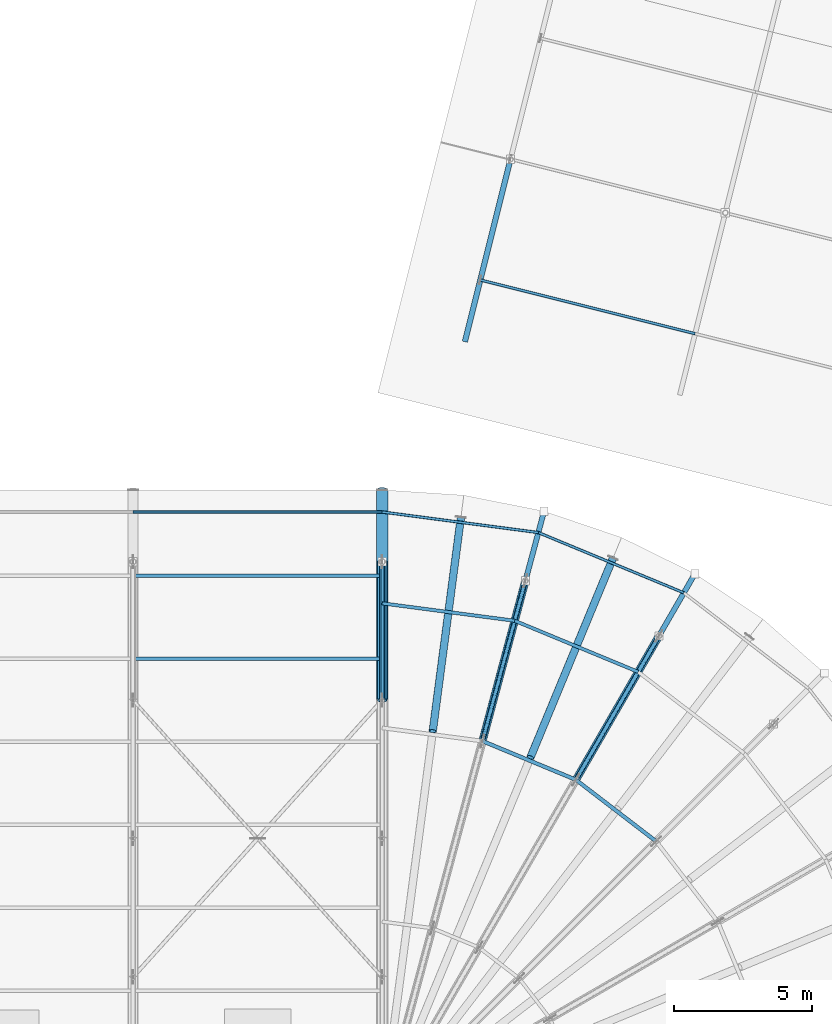
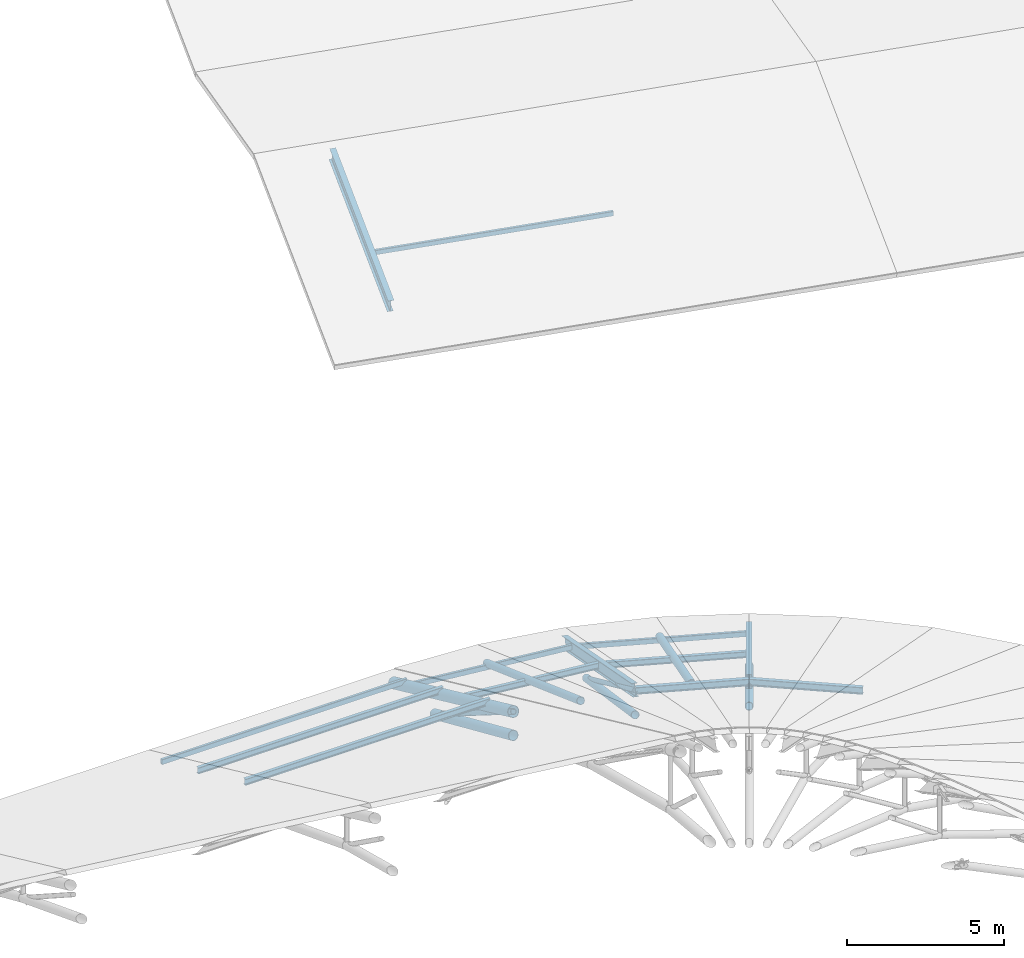
# One storey, part 50 of 107: 22 members.
"""IFC4 building model written with IfcOpenShell, lengths in metres."""

from ifc_helpers import new_model, si_unit, derived_unit, direction, frame, origin, origin_2d, place, context, subcontext, project, spatial, hollow_rectangle, hollow_circle, i_section, extrude, material, material_profile, profile_set, type_object, element, save


model = new_model("IFC4")

# Units and contexts
model_context = context("Model", 3, precision=1e-05, world=origin(), true_north=direction((0.0, 1.0)))
body_context = subcontext(model_context, "Body", "Model", "MODEL_VIEW")
ifc_project = project(units=[si_unit("LENGTHUNIT", "METRE"), si_unit("AREAUNIT", "SQUARE_METRE"), si_unit("VOLUMEUNIT", "CUBIC_METRE"), si_unit("PLANEANGLEUNIT", "RADIAN"), si_unit("MASSUNIT", "GRAM", prefix="KILO"), si_unit("THERMODYNAMICTEMPERATUREUNIT", "KELVIN"), si_unit("TIMEUNIT", "SECOND"), derived_unit("THERMALTRANSMITTANCEUNIT", [(si_unit("MASSUNIT", "GRAM", prefix="KILO"), 1), (si_unit("THERMODYNAMICTEMPERATUREUNIT", "KELVIN"), -1), (si_unit("TIMEUNIT", "SECOND"), -3)])], contexts=[model_context])

# Site, building, storey
site_placement = place(None, origin())
site = spatial("IfcSite", under=ifc_project, at=site_placement, CompositionType="ELEMENT")
building_placement = place(site_placement, origin())
building = spatial("IfcBuilding", under=site, at=building_placement, Name="Cambertide Market Hall", CompositionType="ELEMENT")
storey_placement = place(building_placement, frame((0.0, 0.0, 18.300048828125)))
storey = spatial("IfcBuildingStorey", under=building, at=storey_placement, Name="RF", CompositionType="ELEMENT", Elevation=18.300048828125)

# Members
ifc_material_1 = material(Name="Steel S355", Category="steel")
ifc_material_profile_1 = material_profile(ifc_material_1, hollow_circle(Radius=0.136474609375, WallThickness=0.010009765625, at=origin_2d()), Name="CHS 273x10")
ifc_profile_set_1 = profile_set([ifc_material_profile_1], Name="Steel S355")
member_type_1 = type_object("IfcMemberType", Name="Arched Truss Chord CHS 273x10", PredefinedType="CHORD", material=ifc_profile_set_1)
for number, where, z_axis, x_axis, name in (
    (1, (112.0, 84.124267578125, -7.756103515625), (0.458098458952, 0.7934706706, -0.400687030991), (-0.866031096941, 0.499990139034, 0.0), "Half-Cone Radial Arch Chord E-20-3"),
    (2, (108.62353515625, 85.52294921875, -7.756103515625), (0.23710402823, 0.885001969521, -0.400690895506), (-0.965934430412, 0.258786931944, 0.0), "Half-Cone Radial Arch Chord E-22-3"),
):
    element("IfcMember", number, at=place(storey_placement, frame(where, z_axis=z_axis, x_axis=x_axis)), inside=storey, type_object=member_type_1, Name=name, PredefinedType="CHORD", context=body_context, shape_type="SweptSolid", body=[
        extrude(hollow_circle(Radius=0.136474609375, WallThickness=0.010009765625, at=origin_2d()), origin(), (0.0, 0.0, 1.0), 6.548828125),
    ])
ifc_material_2 = material(Name="Steel S355", Category="steel")
ifc_material_profile_2 = material_profile(ifc_material_2, hollow_circle(Radius=0.177734375, WallThickness=0.012451171875, at=origin_2d()), Name="CHS 355.6x12.5")
ifc_profile_set_2 = profile_set([ifc_material_profile_2], Name="Steel S355")
member_type_2 = type_object("IfcMemberType", Name="Arched Truss Chord CHS 355.6x12.5", PredefinedType="CHORD", material=ifc_profile_set_2)
member_1_placement = place(storey_placement, frame((105.0, 87.0, -8.1767578125), z_axis=(0.0, 0.915087583381, -0.403255148438), x_axis=(-1.0, 0.0, 0.0)))
element("IfcMember", 3, at=member_1_placement, inside=storey, type_object=member_type_2, Name="Roof Truss 8 Arched Bottom Chord 8", PredefinedType="CHORD", context=body_context, shape_type="SweptSolid", body=[
    extrude(hollow_circle(Radius=0.177734375, WallThickness=0.012451171875, at=origin_2d()), origin(), (0.0, 0.0, 1.0), 5.4638671875),
])
ifc_material_3 = material(Name="Steel S355", Category="steel")
ifc_material_profile_3 = material_profile(ifc_material_3, hollow_circle(Radius=0.203125, WallThickness=0.01416015625, at=origin_2d()), Name="CHS 406.4x14.2")
ifc_profile_set_3 = profile_set([ifc_material_profile_3], Name="Steel S355")
member_type_3 = type_object("IfcMemberType", Name="Exterior Arched Truss Chord CHS 406.4x14.2", PredefinedType="CHORD", material=ifc_profile_set_3)
member_2_placement = place(storey_placement, frame((105.0, 87.0, -7.25), z_axis=(0.0, 0.908488236671, -0.417910425606), x_axis=(-1.0, 0.0, 0.0)))
element("IfcMember", 4, at=member_2_placement, inside=storey, type_object=member_type_3, Name="Roof Truss 8 Top Chord 8", PredefinedType="CHORD", context=body_context, shape_type="SweptSolid", body=[
    extrude(hollow_circle(Radius=0.203125, WallThickness=0.01416015625, at=origin_2d()), origin(), (0.0, 0.0, 1.0), 8.36572265625),
])
ifc_material_4 = material(Name="Steel S355", Category="steel")
ifc_material_profile_4 = material_profile(ifc_material_4, hollow_circle(Radius=0.136474609375, WallThickness=0.010009765625, at=origin_2d()), Name="CHS 273x10")
ifc_profile_set_4 = profile_set([ifc_material_profile_4], Name="Steel S355")
member_type_4 = type_object("IfcMemberType", Name="Exterior Radial Fan Rafter CHS 273x10", PredefinedType="RAFTER", material=ifc_profile_set_4)
for number, where, z_axis, x_axis, name in (
    (5, (110.357666015625, 84.934326171875, -6.7900390625), (0.347657877112, 0.839343821258, -0.417894663997), (-0.923883314027, 0.382674302852, 0.0), "RAF-E-21-B"),
    (6, (106.827392578125, 85.880126953125, -6.7900390625), (0.118576480501, 0.900726282096, -0.417889678043), (-0.991445770734, 0.130519284757, 0.0), "RAF-E-23-B"),
):
    element("IfcMember", number, at=place(storey_placement, frame(where, z_axis=z_axis, x_axis=x_axis)), inside=storey, type_object=member_type_4, Name=name, PredefinedType="RAFTER", context=body_context, shape_type="SweptSolid", body=[
        extrude(hollow_circle(Radius=0.136474609375, WallThickness=0.010009765625, at=origin_2d()), origin(), (0.0, 0.0, 1.0), 8.585693359375),
    ])
ifc_material_5 = material(Name="Steel S355", Category="steel")
ifc_material_profile_5 = material_profile(ifc_material_5, i_section(OverallWidth=0.18994140625, OverallDepth=0.449951171875, WebThickness=0.009521484375, FlangeThickness=0.0146484375, FilletRadius=0.02099609375, at=origin_2d()), Name="IPE 450")
ifc_profile_set_5 = profile_set([ifc_material_profile_5], Name="Steel S355")
member_type_5 = type_object("IfcMemberType", Name="Exterior Radial Fan Rafter IPE 450", PredefinedType="RAFTER", material=ifc_profile_set_5)
member_3_placement = place(storey_placement, frame((112.0, 84.124267578125, -6.7900390625), z_axis=(0.454241443881, 0.78677929532, -0.417903159975), x_axis=(-0.866028165386, 0.499995216735, 0.0)))
element("IfcMember", 7, at=member_3_placement, inside=storey, type_object=member_type_5, Name="Half-Cone Radial Truss Rafter E-20-3", PredefinedType="RAFTER", context=body_context, shape_type="SweptSolid", body=[
    extrude(i_section(OverallWidth=0.18994140625, OverallDepth=0.449951171875, WebThickness=0.009521484375, FlangeThickness=0.0146484375, FilletRadius=0.02099609375, at=origin_2d()), origin(), (0.0, 0.0, 1.0), 9.466552734375),
])
member_4_placement = place(storey_placement, frame((108.62353515625, 85.52294921875, -6.7900390625), z_axis=(0.235134381364, 0.877530692762, -0.417913514931), x_axis=(-0.965925622404, 0.258819806009, 0.0)))
element("IfcMember", 8, at=member_4_placement, inside=storey, type_object=member_type_5, Name="Half-Cone Radial Truss Rafter E-22-3", PredefinedType="RAFTER", context=body_context, shape_type="SweptSolid", body=[
    extrude(i_section(OverallWidth=0.18994140625, OverallDepth=0.449951171875, WebThickness=0.009521484375, FlangeThickness=0.0146484375, FilletRadius=0.02099609375, at=origin_2d()), origin(), (0.0, 0.0, 1.0), 9.46630859375),
])
ifc_material_6 = material(Name="Steel S275", Category="steel")
ifc_material_profile_6 = material_profile(ifc_material_6, hollow_rectangle(XDim=0.10009765625, YDim=0.199951171875, WallThickness=0.00634765625, InnerFilletRadius=0.00634765625, OuterFilletRadius=0.0126953125, at=origin_2d()), Name="RHS 200x100x6.3")
ifc_profile_set_6 = profile_set([ifc_material_profile_6], Name="Steel S275")
member_type_6 = type_object("IfcMemberType", Name="Exterior Roof Purlin RHS 200x100x6.3", PredefinedType="PURLIN", material=ifc_profile_set_6)
member_5_placement = place(storey_placement, frame((96.0, 93.800048828125, -10.16796875), z_axis=(1.0, 0.0, 0.0), x_axis=(0.0, 1.0, 0.0)))
element("IfcMember", 9, at=member_5_placement, inside=storey, type_object=member_type_6, Name="Barrel Roof Purlin 7-16", PredefinedType="PURLIN", context=body_context, shape_type="SweptSolid", body=[
    extrude(hollow_rectangle(XDim=0.10009765625, YDim=0.199951171875, WallThickness=0.00634765625, InnerFilletRadius=0.00634765625, OuterFilletRadius=0.0126953125, at=origin_2d()), origin(), (0.0, 0.0, 1.0), 9.0),
])
member_6_placement = place(storey_placement, frame((115.89990234375, 90.87939453125, -10.3779296875), z_axis=(-0.923880883447, 0.382680170901, 0.0), x_axis=(-0.382680170901, -0.923880883447, 0.0)))
element("IfcMember", 10, at=member_6_placement, inside=storey, type_object=member_type_6, Name="CPUR-E-218-11", PredefinedType="PURLIN", context=body_context, shape_type="SweptSolid", body=[
    extrude(hollow_rectangle(XDim=0.10009765625, YDim=0.199951171875, WallThickness=0.00634765625, InnerFilletRadius=0.00634765625, OuterFilletRadius=0.0126953125, at=origin_2d()), origin(), (0.0, 0.0, 1.0), 5.690673828125),
])
member_7_placement = place(storey_placement, frame((110.642333984375, 93.05712890625, -10.3779296875), z_axis=(-0.991442756491, 0.130542179395, 0.0), x_axis=(-0.130542179395, -0.991442756491, 0.0)))
element("IfcMember", 11, at=member_7_placement, inside=storey, type_object=member_type_6, Name="CPUR-E-218-12", PredefinedType="PURLIN", context=body_context, shape_type="SweptSolid", body=[
    extrude(hollow_rectangle(XDim=0.10009765625, YDim=0.199951171875, WallThickness=0.00634765625, InnerFilletRadius=0.00634765625, OuterFilletRadius=0.0126953125, at=origin_2d()), origin(), (0.0, 0.0, 1.0), 5.69091796875),
])
ifc_material_7 = material(Name="Steel S355", Category="steel")
ifc_material_profile_7 = material_profile(ifc_material_7, i_section(OverallWidth=0.199951171875, OverallDepth=0.5, WebThickness=0.01025390625, FlangeThickness=0.01611328125, FilletRadius=0.02099609375, at=origin_2d()), Name="IPE 500")
ifc_profile_set_7 = profile_set([ifc_material_profile_7], Name="Steel S355")
member_type_7 = type_object("IfcMemberType", Name="Radial Fan Rafter IPE 500", PredefinedType="RAFTER", material=ifc_profile_set_7)
member_8_placement = place(storey_placement, frame((108.0, 100.0, -0.43994140625), z_axis=(0.237675269494, 0.950665635794, 0.199362271235), x_axis=(-0.970140372565, 0.242544135198, 0.0)))
element("IfcMember", 12, at=member_8_placement, inside=storey, type_object=member_type_7, Name="RAF-V4-1-1", PredefinedType="RAFTER", context=body_context, shape_type="SweptSolid", body=[
    extrude(i_section(OverallWidth=0.199951171875, OverallDepth=0.5, WebThickness=0.01025390625, FlangeThickness=0.01611328125, FilletRadius=0.02099609375, at=origin_2d()), origin(), (0.0, 0.0, 1.0), 6.888427734375),
])
ifc_material_8 = material(Name="Steel S275", Category="steel")
ifc_material_profile_8 = material_profile(ifc_material_8, i_section(OverallWidth=0.1201171875, OverallDepth=0.239990234375, WebThickness=0.006103515625, FlangeThickness=0.009765625, FilletRadius=0.014892578125, at=origin_2d()), Name="IPE 240")
ifc_profile_set_8 = profile_set([ifc_material_profile_8], Name="Steel S275")
member_type_8 = type_object("IfcMemberType", Name="Roof Purlin IPE 240", PredefinedType="PURLIN", material=ifc_profile_set_8)
for number, where, z_axis, x_axis, name in (
    (13, (96.0, 88.5, -7.72998046875), (1.0, 0.0, 0.0), (0.0, 1.0, 0.0), "Barrel Roof Purlin 7-14"),
    (14, (96.0, 91.5, -9.110107421875), (1.0, 0.0, 0.0), (0.0, 1.0, 0.0), "Barrel Roof Purlin 7-15"),
):
    element("IfcMember", number, at=place(storey_placement, frame(where, z_axis=z_axis, x_axis=x_axis)), inside=storey, type_object=member_type_8, Name=name, PredefinedType="PURLIN", context=body_context, shape_type="SweptSolid", body=[
        extrude(i_section(OverallWidth=0.1201171875, OverallDepth=0.239990234375, WebThickness=0.006103515625, FlangeThickness=0.009765625, FilletRadius=0.014892578125, at=origin_2d()), origin(), (0.0, 0.0, 1.0), 9.0),
    ])
member_9_placement = place(storey_placement, frame((114.25, 88.021484375, -8.860107421875), z_axis=(-0.923882518405, 0.382676223699, 0.0), x_axis=(-0.382676223699, -0.923882518405, 0.0)))
element("IfcMember", 15, at=member_9_placement, inside=storey, type_object=member_type_8, Name="CPUR-E-185-11", PredefinedType="PURLIN", context=body_context, shape_type="SweptSolid", body=[
    extrude(i_section(OverallWidth=0.1201171875, OverallDepth=0.239990234375, WebThickness=0.006103515625, FlangeThickness=0.009765625, FilletRadius=0.014892578125, at=origin_2d()), origin(), (0.0, 0.0, 1.0), 4.82958984375),
])
member_10_placement = place(storey_placement, frame((109.7880859375, 89.86962890625, -8.860107421875), z_axis=(-0.991444657148, 0.130527743461, 0.0), x_axis=(-0.130527743461, -0.991444657148, 0.0)))
element("IfcMember", 16, at=member_10_placement, inside=storey, type_object=member_type_8, Name="CPUR-E-185-12", PredefinedType="PURLIN", context=body_context, shape_type="SweptSolid", body=[
    extrude(i_section(OverallWidth=0.1201171875, OverallDepth=0.239990234375, WebThickness=0.006103515625, FlangeThickness=0.009765625, FilletRadius=0.014892578125, at=origin_2d()), origin(), (0.0, 0.0, 1.0), 4.829345703125),
])
ifc_material_9 = material(Name="Steel S275", Category="steel")
ifc_material_profile_9 = material_profile(ifc_material_9, i_section(OverallWidth=0.135009765625, OverallDepth=0.27001953125, WebThickness=0.006591796875, FlangeThickness=0.01025390625, FilletRadius=0.014892578125, at=origin_2d()), Name="IPE 270")
ifc_profile_set_9 = profile_set([ifc_material_profile_9], Name="Steel S275")
member_type_9 = type_object("IfcMemberType", Name="Roof Purlin IPE 270", PredefinedType="PURLIN", material=ifc_profile_set_9)
for number, where, z_axis, x_axis, name in (
    (17, (114.8994140625, 81.8994140625, -6.7900390625), (-0.793346091011, 0.608770876338, 0.0), (-0.608770876338, -0.793346091011, 0.0), "CPUR-E-140-10"),
    (18, (112.0, 84.124267578125, -6.7900390625), (-0.923869460704, 0.382707746954, 0.0), (-0.382707746954, -0.923869460704, 0.0), "CPUR-E-140-11"),
):
    element("IfcMember", number, at=place(storey_placement, frame(where, z_axis=z_axis, x_axis=x_axis)), inside=storey, type_object=member_type_9, Name=name, PredefinedType="PURLIN", context=body_context, shape_type="SweptSolid", body=[
        extrude(i_section(OverallWidth=0.135009765625, OverallDepth=0.27001953125, WebThickness=0.006591796875, FlangeThickness=0.01025390625, FilletRadius=0.014892578125, at=origin_2d()), origin(), (0.0, 0.0, 1.0), 3.65478515625),
    ])
ifc_material_10 = material(Name="Steel S275", Category="steel")
ifc_material_profile_10 = material_profile(ifc_material_10, hollow_rectangle(XDim=0.10009765625, YDim=0.179931640625, WallThickness=0.00634765625, InnerFilletRadius=0.00634765625, OuterFilletRadius=0.0126953125, at=origin_2d()), Name="RHS 180x100x6.3")
ifc_profile_set_10 = profile_set([ifc_material_profile_10], Name="Steel S275")
member_type_10 = type_object("IfcMemberType", Name="Roof Purlin RHS 180x100x6.3", PredefinedType="PURLIN", material=ifc_profile_set_10)
member_11_placement = place(storey_placement, frame((108.545654296875, 102.182861328125, 0.11767578125), z_axis=(0.970138909791, -0.242549986002, 0.0), x_axis=(0.242549986002, 0.970138909791, 0.0)))
element("IfcMember", 19, at=member_11_placement, inside=storey, type_object=member_type_10, Name="PUR-V4-1-22", PredefinedType="PURLIN", context=body_context, shape_type="SweptSolid", body=[
    extrude(hollow_rectangle(XDim=0.10009765625, YDim=0.179931640625, WallThickness=0.00634765625, InnerFilletRadius=0.00634765625, OuterFilletRadius=0.0126953125, at=origin_2d()), origin(), (0.0, 0.0, 1.0), 8.000244140625),
])
ifc_material_11 = material(Name="Steel S355", Category="steel")
ifc_material_profile_11 = material_profile(ifc_material_11, hollow_circle(Radius=0.084228515625, WallThickness=0.00634765625, at=origin_2d()), Name="CHS 168.3x6.3")
ifc_profile_set_11 = profile_set([ifc_material_profile_11], Name="Steel S355")
member_type_11 = type_object("IfcMemberType", Name="Structural Brace CHS 168.3x6.3", PredefinedType="BRACE", material=ifc_profile_set_11)
for number, where, z_axis, x_axis, name in (
    (20, (115.0, 89.320556640625, -10.380126953125), (-0.429052626638, -0.743160490346, 0.513445546445), (0.866031096941, -0.499990139034, 0.0), "RWB-E-20-D3"),
    (21, (110.17626953125, 91.318603515625, -10.380126953125), (-0.222070132815, -0.828887245737, 0.513449890415), (0.965934430412, -0.258786931944, 0.0), "RWB-E-22-D3"),
):
    element("IfcMember", number, at=place(storey_placement, frame(where, z_axis=z_axis, x_axis=x_axis)), inside=storey, type_object=member_type_11, Name=name, PredefinedType="BRACE", context=body_context, shape_type="SweptSolid", body=[
        extrude(hollow_circle(Radius=0.084228515625, WallThickness=0.00634765625, at=origin_2d()), origin(), (0.0, 0.0, 1.0), 6.9921875),
    ])
ifc_material_12 = material(Name="Steel S355", Category="steel")
ifc_material_profile_12 = material_profile(ifc_material_12, hollow_circle(Radius=0.096923828125, WallThickness=0.00634765625, at=origin_2d()), Name="CHS 193.7x6.3")
ifc_profile_set_12 = profile_set([ifc_material_profile_12], Name="Steel S355")
member_type_12 = type_object("IfcMemberType", Name="Structural Brace CHS 193.7x6.3", PredefinedType="BRACE", material=ifc_profile_set_12)
member_12_placement = place(storey_placement, frame((105.0, 87.0, -7.25), z_axis=(0.0, 0.847607454032, -0.530623787507), x_axis=(-1.0, 0.0, 0.0)))
element("IfcMember", 22, at=member_12_placement, inside=storey, type_object=member_type_12, Name="Roof Truss 8 Web Diagonal 8", PredefinedType="BRACE", context=body_context, shape_type="SweptSolid", body=[
    extrude(hollow_circle(Radius=0.096923828125, WallThickness=0.00634765625, at=origin_2d()), origin(), (0.0, 0.0, 1.0), 5.89892578125),
])

save(model, "model.ifc")
